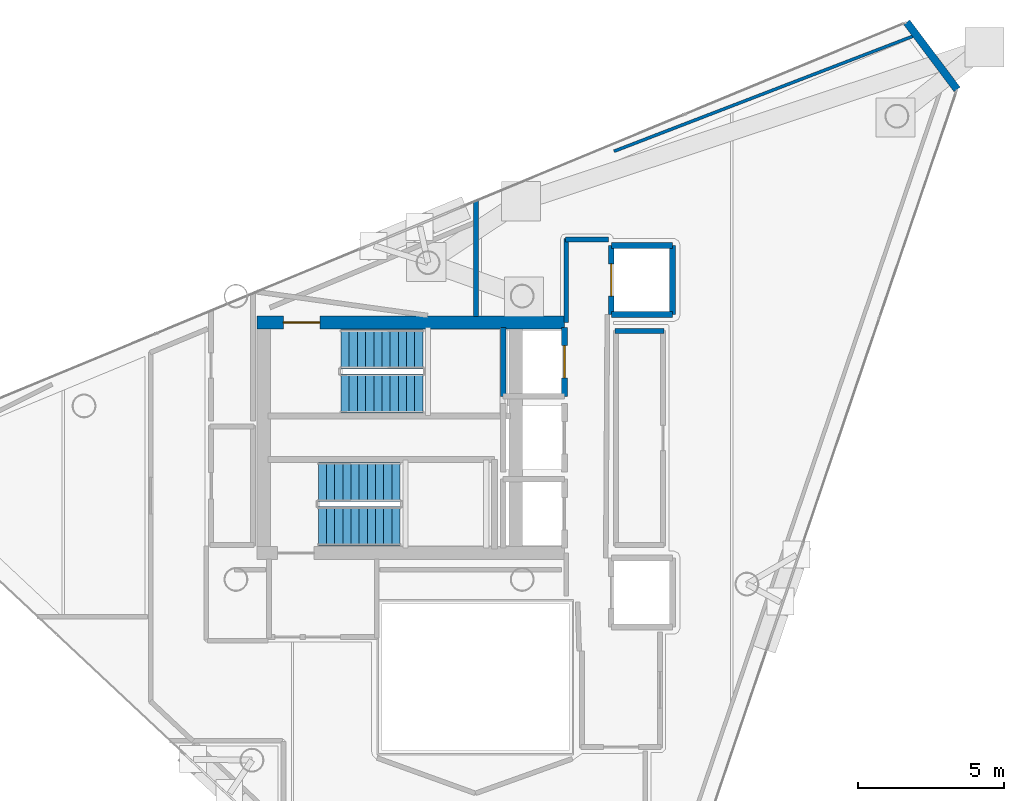
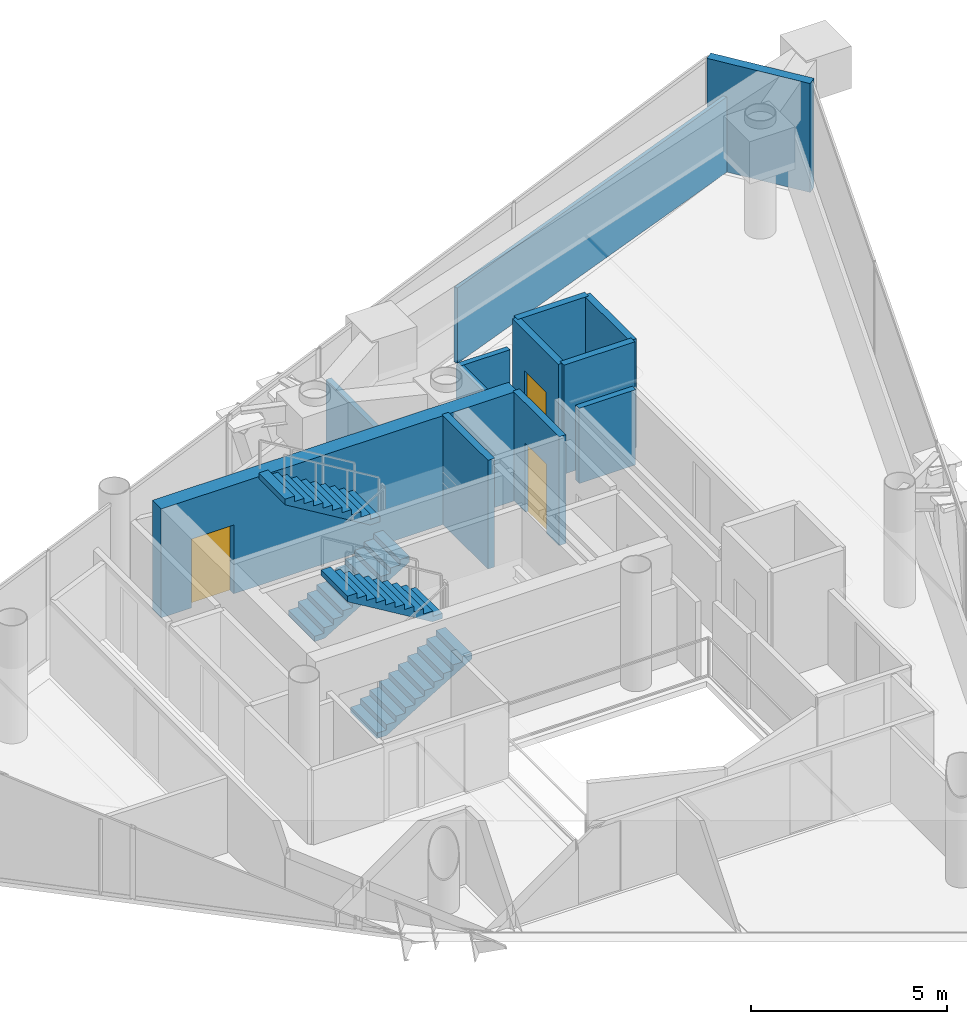
# One storey, part 16 of 18: 13 walls, 4 stair flights, 3 doors, 3 openings, 2 elements without a shape of their own.
"""IFC4 building model written with IfcOpenShell, lengths in metres."""

from ifc_helpers import new_model, si_unit, direction, frame, frame_2d, origin, place, context, subcontext, project, spatial, polyline, rectangle, outline, extrude, material, layer, layer_set, type_object, element, fill, aggregate, save


model = new_model("IFC4")

# Units and contexts
model_context = context("Model", 3, precision=1e-05, world=origin(), true_north=direction((0.0, 1.0)))
body_context = subcontext(model_context, "Body", "Model", "MODEL_VIEW")
ifc_project = project(units=[si_unit("LENGTHUNIT", "METRE"), si_unit("AREAUNIT", "SQUARE_METRE"), si_unit("VOLUMEUNIT", "CUBIC_METRE"), si_unit("PLANEANGLEUNIT", "RADIAN"), si_unit("MASSUNIT", "GRAM", prefix="KILO")], contexts=[model_context])

# Site, building, storey
site_placement = place(None, origin())
site = spatial("IfcSite", under=ifc_project, at=site_placement, CompositionType="ELEMENT")
building_placement = place(site_placement, origin())
building = spatial("IfcBuilding", under=site, at=building_placement, Name="Qianvela Tower", CompositionType="ELEMENT")
storey_placement = place(building_placement, frame((0.0, 0.0, 348.10009765625)))
storey = spatial("IfcBuildingStorey", under=building, at=storey_placement, Name="L90", CompositionType="ELEMENT", Elevation=348.10009765625)

# Wall
ifc_material_1 = material(Name="Terracotta Cladding on Concrete C40", Category="masonry")
ifc_layer_1 = layer(ifc_material_1, 0.260009765625)
ifc_layer_set_1 = layer_set([ifc_layer_1], Name="Terracotta Cladding on Concrete C40")
wall_type_1 = type_object("IfcWallType", Name="TERRACOTTA-WALL-260", PredefinedType="SOLIDWALL", material=ifc_layer_set_1)
wall_1_placement = place(storey_placement, frame((53.287841796875, 40.623046875, 0.0), z_axis=(0.0, 0.0, 1.0), x_axis=(-0.599850515237, 0.800112091753, 0.0)))
element("IfcWall", 1, at=wall_1_placement, inside=storey, type_object=wall_type_1, Name="L90 Terracotta Chamfer Facet Wall 1", PredefinedType="SOLIDWALL", context=body_context, shape_type="SweptSolid", body=[
    extrude(rectangle(XDim=2.874755859375, YDim=0.260009765625, at=frame_2d((1.4375, 0.0))), origin(), (0.0, 0.0, 1.0), 3.39990234375),
])

# Wall, opening, door
ifc_material_2 = material(Name="Concrete C50", Category="concrete")
ifc_layer_2 = layer(ifc_material_2, 0.449951171875)
ifc_layer_set_2 = layer_set([ifc_layer_2], Name="Concrete C50")
wall_type_2 = type_object("IfcWallType", Name="WT-CORE-450", PredefinedType="SHEAR", material=ifc_layer_set_2)
wall_2_placement = place(storey_placement, frame((29.330078125, 32.64501953125, 0.0), z_axis=(0.0, 0.0, 1.0), x_axis=(1.0, 0.0, 0.0)))
wall_2 = element("IfcWall", 2, at=wall_2_placement, inside=storey, type_object=wall_type_2, Name="L90 North Core Shear Wall", PredefinedType="SHEAR", context=body_context, shape_type="SweptSolid", body=[
    extrude(rectangle(XDim=10.52001953125, YDim=0.449951171875, at=frame_2d((5.260009765625, 0.0))), origin(), (0.0, 0.0, 1.0), 3.39990234375),
])
opening_1_placement = place(wall_2_placement, frame((0.89501953125, 0.0, 0.0)))
opening_1 = element("IfcOpeningElement", 3, at=opening_1_placement, cuts=wall_2, Name="Opening D-ST1", PredefinedType="OPENING", context=body_context, shape_type="SweptSolid", body=[
    extrude(rectangle(XDim=1.25, YDim=2.14990234375, at=frame_2d((0.625, 1.074951171875))), frame((0.0, 0.23486328125, 0.0), z_axis=(0.0, -1.0, 0.0), x_axis=(1.0, 0.0, 0.0)), (0.0, 0.0, 1.0), 0.469970703125),
])
ifc_material_3 = material(Name="Galvanised Fire Steel Q355B", Category="steel")
door_type_1 = type_object("IfcDoorType", Name="DT-STAIR-FD90", OperationType="NOTDEFINED", PredefinedType="DOOR", material=ifc_material_3)
door_1_placement = place(opening_1_placement, origin())
door_1 = element("IfcDoor", 4, at=door_1_placement, inside=storey, type_object=door_type_1, Name="L90 Stair ST-1 Exit Door", OperationType="SINGLE_SWING_RIGHT", OverallHeight=2.14990234375, OverallWidth=1.25, PredefinedType="DOOR", context=body_context, shape_type="SweptSolid", body=[
    extrude(rectangle(XDim=1.25, YDim=2.14990234375, at=frame_2d((0.625, 1.074951171875))), frame((0.0, 0.02490234375, 0.0), z_axis=(0.0, -1.0, 0.0), x_axis=(1.0, 0.0, 0.0)), (0.0, 0.0, 1.0), 0.050048828125),
])
fill(opening_1, door_1)

# Walls
ifc_material_4 = material(Name="Fire-Rated Gypsum and Concrete Block", Category="concrete")
ifc_layer_3 = layer(ifc_material_4, 0.159912109375)
ifc_layer_set_3 = layer_set([ifc_layer_3], Name="Fire-Rated Gypsum and Concrete Block")
wall_type_3 = type_object("IfcWallType", Name="WT-CORR-160", PredefinedType="PARTITIONING", material=ifc_layer_set_3)
wall_3_placement = place(storey_placement, frame((36.819091796875, 36.82763671875, 0.0), z_axis=(0.0, 0.0, 1.0), x_axis=(0.0, -1.0, 0.0)))
element("IfcWall", 5, at=wall_3_placement, inside=storey, type_object=wall_type_3, Name="L90 Partition 2", PredefinedType="PARTITIONING", context=body_context, shape_type="SweptSolid", body=[
    extrude(rectangle(XDim=3.9697265625, YDim=0.159912109375, at=frame_2d((1.98486328125, 0.0))), origin(), (0.0, 0.0, 1.0), 2.177978515625),
])
wall_4_placement = place(storey_placement, frame((39.910888671875, 32.639892578125, 0.0), z_axis=(0.0, 0.0, 1.0), x_axis=(0.0, 1.0, 0.0)))
element("IfcWall", 6, at=wall_4_placement, inside=storey, type_object=wall_type_3, Name="L90 Partition 11", PredefinedType="PARTITIONING", context=body_context, shape_type="SweptSolid", body=[
    extrude(rectangle(XDim=2.880126953125, YDim=0.159912109375, at=frame_2d((1.43994140625, 0.0))), origin(), (0.0, 0.0, 1.0), 2.349853515625),
])
wall_5_placement = place(storey_placement, frame((39.8798828125, 35.489013671875, 0.0), z_axis=(0.0, 0.0, 1.0), x_axis=(1.0, 0.0, 0.0)))
element("IfcWall", 7, at=wall_5_placement, inside=storey, type_object=wall_type_3, Name="L90 Partition 12", PredefinedType="PARTITIONING", context=body_context, shape_type="SweptSolid", body=[
    extrude(rectangle(XDim=1.480224609375, YDim=0.159912109375, at=frame_2d((0.740234375, 0.0))), origin(), (0.0, 0.0, 1.0), 2.349853515625),
])
ifc_material_5 = material(Name="Lightweight Gypsum Room Partition")
ifc_layer_4 = layer(ifc_material_5, 0.10498046875)
ifc_layer_set_4 = layer_set([ifc_layer_4], Name="Lightweight Gypsum Room Partition")
wall_type_4 = type_object("IfcWallType", Name="WT-PART-105", PredefinedType="PARTITIONING", material=ifc_layer_set_4)
wall_6_placement = place(storey_placement, frame((41.545166015625, 38.508056640625, 0.0), z_axis=(0.0, 0.0, 1.0), x_axis=(0.933257174765, 0.359208916578, 0.0)))
element("IfcWall", 8, at=wall_6_placement, inside=storey, type_object=wall_type_4, Name="L90 Partition 73 seg 2", PredefinedType="PARTITIONING", context=body_context, shape_type="SweptSolid", body=[
    extrude(rectangle(XDim=11.103515625, YDim=0.10498046875, at=frame_2d((5.5517578125, 0.0))), origin(), (0.0, 0.0, 1.0), 2.349853515625),
])
ifc_material_6 = material(Name="Moisture-Resistant Acoustic Plumbing Wall")
ifc_layer_5 = layer(ifc_material_6, 0.175048828125)
ifc_layer_set_5 = layer_set([ifc_layer_5], Name="Moisture-Resistant Acoustic Plumbing Wall")
wall_type_5 = type_object("IfcWallType", Name="WT-PLUMB-175", PredefinedType="PLUMBINGWALL", material=ifc_layer_set_5)
wall_7_placement = place(storey_placement, frame((41.580078125, 32.34912109375, 0.0), z_axis=(0.0, 0.0, 1.0), x_axis=(1.0, 0.0, 0.0)))
element("IfcWall", 9, at=wall_7_placement, inside=storey, type_object=wall_type_5, Name="L90 Partition 20", PredefinedType="PLUMBINGWALL", context=body_context, shape_type="SweptSolid", body=[
    extrude(rectangle(XDim=1.669921875, YDim=0.175048828125, at=frame_2d((0.8349609375, 0.0))), origin(), (0.0, 0.0, 1.0), 2.349853515625),
])

# Wall, opening, door
ifc_material_7 = material(Name="Concrete C50", Category="concrete")
ifc_layer_6 = layer(ifc_material_7, 0.199951171875)
ifc_layer_set_6 = layer_set([ifc_layer_6], Name="Concrete C50")
wall_type_6 = type_object("IfcWallType", Name="WT-SHAFT-200", PredefinedType="SOLIDWALL", material=ifc_layer_set_6)
wall_8_placement = place(storey_placement, frame((39.85009765625, 30.1201171875, 0.0), z_axis=(0.0, 0.0, 1.0), x_axis=(0.0, 1.0, 0.0)))
wall_8 = element("IfcWall", 10, at=wall_8_placement, inside=storey, type_object=wall_type_6, Name="L90 Lift FL-1 E Shaft Wall", PredefinedType="SOLIDWALL", context=body_context, shape_type="SweptSolid", body=[
    extrude(rectangle(XDim=2.35986328125, YDim=0.199951171875, at=frame_2d((1.179931640625, 0.0))), origin(), (0.0, 0.0, 1.0), 3.39990234375),
])
opening_2_placement = place(wall_8_placement, frame((0.6298828125, 0.0, 0.0)))
opening_2 = element("IfcOpeningElement", 11, at=opening_2_placement, cuts=wall_8, Name="Opening LD-01", PredefinedType="OPENING", context=body_context, shape_type="SweptSolid", body=[
    extrude(rectangle(XDim=1.10009765625, YDim=2.14990234375, at=frame_2d((0.550048828125, 1.074951171875))), frame((0.0, 0.10986328125, 0.0), z_axis=(0.0, -1.0, 0.0), x_axis=(1.0, 0.0, 0.0)), (0.0, 0.0, 1.0), 0.219970703125),
])
ifc_material_8 = material(Name="Brushed Stainless Steel Lift Landing Door", Category="steel")
door_type_2 = type_object("IfcDoorType", Name="DT-LIFT-SLIDE-1100", OperationType="SLIDING_TO_LEFT", PredefinedType="DOOR", material=ifc_material_8)
door_2_placement = place(opening_2_placement, origin())
door_2 = element("IfcDoor", 12, at=door_2_placement, inside=storey, type_object=door_type_2, Name="L90 Lift FL-1 Sliding Landing Door", OperationType="SLIDING_TO_LEFT", OverallHeight=2.14990234375, OverallWidth=1.10009765625, PredefinedType="DOOR", context=body_context, shape_type="SweptSolid", body=[
    extrude(rectangle(XDim=1.10009765625, YDim=2.14990234375, at=frame_2d((0.550048828125, 1.074951171875))), frame((0.0, 0.02490234375, 0.0), z_axis=(0.0, -1.0, 0.0), x_axis=(1.0, 0.0, 0.0)), (0.0, 0.0, 1.0), 0.050048828125),
])
fill(opening_2, door_2)

# Walls
wall_9_placement = place(storey_placement, frame((37.75, 30.1201171875, 0.0), z_axis=(0.0, 0.0, 1.0), x_axis=(0.0, 1.0, 0.0)))
element("IfcWall", 13, at=wall_9_placement, inside=storey, type_object=wall_type_6, Name="L90 Lift FL-1 W Shaft Wall", PredefinedType="SOLIDWALL", context=body_context, shape_type="SweptSolid", body=[
    extrude(rectangle(XDim=2.35986328125, YDim=0.199951171875, at=frame_2d((1.179931640625, 0.0))), origin(), (0.0, 0.0, 1.0), 3.39990234375),
])
wall_10_placement = place(storey_placement, frame((43.550048828125, 32.919921875, 0.0), z_axis=(0.0, 0.0, 1.0), x_axis=(0.0, 1.0, 0.0)))
element("IfcWall", 14, at=wall_10_placement, inside=storey, type_object=wall_type_6, Name="L90 Lift PL-H3 E Shaft Wall", PredefinedType="SOLIDWALL", context=body_context, shape_type="SweptSolid", body=[
    extrude(rectangle(XDim=2.360107421875, YDim=0.199951171875, at=frame_2d((1.18017578125, 0.0))), origin(), (0.0, 0.0, 1.0), 3.39990234375),
])

# Wall, opening, door
wall_11_placement = place(storey_placement, frame((41.449951171875, 32.919921875, 0.0), z_axis=(0.0, 0.0, 1.0), x_axis=(0.0, 1.0, 0.0)))
wall_11 = element("IfcWall", 15, at=wall_11_placement, inside=storey, type_object=wall_type_6, Name="L90 Lift PL-H3 W Shaft Wall", PredefinedType="SOLIDWALL", context=body_context, shape_type="SweptSolid", body=[
    extrude(rectangle(XDim=2.360107421875, YDim=0.199951171875, at=frame_2d((1.18017578125, 0.0))), origin(), (0.0, 0.0, 1.0), 3.39990234375),
])
opening_3_placement = place(wall_11_placement, frame((0.6298828125, 0.0, 0.0)))
opening_3 = element("IfcOpeningElement", 16, at=opening_3_placement, cuts=wall_11, Name="Opening LD-01", PredefinedType="OPENING", context=body_context, shape_type="SweptSolid", body=[
    extrude(rectangle(XDim=1.10009765625, YDim=2.14990234375, at=frame_2d((0.550048828125, 1.074951171875))), frame((0.0, 0.10986328125, 0.0), z_axis=(0.0, -1.0, 0.0), x_axis=(1.0, 0.0, 0.0)), (0.0, 0.0, 1.0), 0.219970703125),
])
door_3_placement = place(opening_3_placement, origin())
door_3 = element("IfcDoor", 17, at=door_3_placement, inside=storey, type_object=door_type_2, Name="L90 Lift PL-H3 Sliding Landing Door", OperationType="SLIDING_TO_LEFT", OverallHeight=2.14990234375, OverallWidth=1.10009765625, PredefinedType="DOOR", context=body_context, shape_type="SweptSolid", body=[
    extrude(rectangle(XDim=1.10009765625, YDim=2.14990234375, at=frame_2d((0.550048828125, 1.074951171875))), frame((0.0, 0.02490234375, 0.0), z_axis=(0.0, -1.0, 0.0), x_axis=(1.0, 0.0, 0.0)), (0.0, 0.0, 1.0), 0.050048828125),
])
fill(opening_3, door_3)

# Walls
for number, where, z_axis, x_axis, name in (
    (18, (41.449951171875, 35.280029296875, 0.0), (0.0, 0.0, 1.0), (1.0, 0.0, 0.0), "L90 Lift PL-H3 N Shaft Wall"),
    (19, (41.449951171875, 32.919921875, 0.0), (0.0, 0.0, 1.0), (1.0, 0.0, 0.0), "L90 Lift PL-H3 S Shaft Wall"),
):
    element("IfcWall", number, at=place(storey_placement, frame(where, z_axis=z_axis, x_axis=x_axis)), inside=storey, type_object=wall_type_6, Name=name, PredefinedType="SOLIDWALL", context=body_context, shape_type="SweptSolid", body=[
        extrude(rectangle(XDim=2.10009765625, YDim=0.199951171875, at=frame_2d((1.050048828125, 0.0))), origin(), (0.0, 0.0, 1.0), 3.39990234375),
    ])

# Stair, stair flights
ifc_material_9 = material(Name="Concrete C40", Category="concrete")
stair_type = type_object("IfcStairType", Name="ST-DOGLEG-1350-R168-N22", PredefinedType="HALF_TURN_STAIR", material=ifc_material_9)
stair_1_placement = place(storey_placement, origin())
stair_1 = element("IfcStair", 20, at=stair_1_placement, inside=storey, type_object=stair_type, Name="L90 Smoke-Proof Core Stair ST-1", PredefinedType="HALF_TURN_STAIR")
ifc_material_10 = material(Name="Concrete C40", Category="concrete")
stair_flight_type = type_object("IfcStairFlightType", Name="STF-STRAIGHT-R168-P11", PredefinedType="STRAIGHT", material=ifc_material_10)
stair_flight_1_placement = place(storey_placement, frame((32.199951171875, 30.215087890625, 0.0), z_axis=(0.0, 0.0, 1.0), x_axis=(1.0, 0.0, 0.0)))
stair_flight_1 = element("IfcStairFlight", 21, at=stair_flight_1_placement, type_object=stair_flight_type, Name="ST-1 flight 1", NumberOfRisers=11, NumberOfTreads=10, PredefinedType="STRAIGHT", RiserHeight=0.168181818, TreadLength=0.28, context=body_context, shape_type="SweptSolid", body=[
    extrude(outline(polyline([(0.0, 0.0), (0.0, 0.168212890625), (0.280029296875, 0.168212890625), (0.280029296875, 0.33642578125), (0.56005859375, 0.33642578125), (0.56005859375, 0.504638671875), (0.840087890625, 0.504638671875), (0.840087890625, 0.672607421875), (1.1201171875, 0.672607421875), (1.1201171875, 0.8408203125), (1.39990234375, 0.8408203125), (1.39990234375, 1.009033203125), (1.679931640625, 1.009033203125), (1.679931640625, 1.17724609375), (1.9599609375, 1.17724609375), (1.9599609375, 1.345458984375), (2.239990234375, 1.345458984375), (2.239990234375, 1.513671875), (2.52001953125, 1.513671875), (2.52001953125, 1.681884765625), (2.800048828125, 1.681884765625), (2.800048828125, 1.85009765625), (2.800048828125, 1.5068359375), (0.291015625, 0.0), (0.0, 0.0)])), frame((0.0, 0.675048828125, 0.0), z_axis=(0.0, -1.0, 0.0), x_axis=(1.0, 0.0, 0.0)), (0.0, 0.0, 1.0), 1.35009765625),
])
stair_flight_2_placement = place(storey_placement, frame((35.0, 31.72509765625, 1.849853515625), z_axis=(0.0, 0.0, 1.0), x_axis=(-1.0, 0.0, 0.0)))
stair_flight_2 = element("IfcStairFlight", 22, at=stair_flight_2_placement, type_object=stair_flight_type, Name="ST-1 flight 2", NumberOfRisers=11, NumberOfTreads=10, PredefinedType="STRAIGHT", RiserHeight=0.168181818, TreadLength=0.28, context=body_context, shape_type="SweptSolid", body=[
    extrude(outline(polyline([(0.0, 0.0), (0.0, 0.168212890625), (0.280029296875, 0.168212890625), (0.280029296875, 0.33642578125), (0.56005859375, 0.33642578125), (0.56005859375, 0.504638671875), (0.840087890625, 0.504638671875), (0.840087890625, 0.672607421875), (1.1201171875, 0.672607421875), (1.1201171875, 0.8408203125), (1.39990234375, 0.8408203125), (1.39990234375, 1.009033203125), (1.679931640625, 1.009033203125), (1.679931640625, 1.17724609375), (1.9599609375, 1.17724609375), (1.9599609375, 1.345458984375), (2.239990234375, 1.345458984375), (2.239990234375, 1.513671875), (2.52001953125, 1.513671875), (2.52001953125, 1.681884765625), (2.800048828125, 1.681884765625), (2.800048828125, 1.85009765625), (2.800048828125, 1.5068359375), (0.291015625, 0.0), (0.0, 0.0)])), frame((0.0, 0.675048828125, 0.0), z_axis=(0.0, -1.0, 0.0), x_axis=(1.0, 0.0, 0.0)), (0.0, 0.0, 1.0), 1.35009765625),
])
aggregate(stair_1, [stair_flight_1, stair_flight_2])

stair_2_placement = place(storey_placement, origin())
stair_2 = element("IfcStair", 23, at=stair_2_placement, inside=storey, type_object=stair_type, Name="L90 Smoke-Proof Core Stair ST-2", PredefinedType="HALF_TURN_STAIR")
stair_flight_3_placement = place(storey_placement, frame((31.419921875, 25.675048828125, 0.0), z_axis=(0.0, 0.0, 1.0), x_axis=(1.0, 0.0, 0.0)))
stair_flight_3 = element("IfcStairFlight", 24, at=stair_flight_3_placement, type_object=stair_flight_type, Name="ST-2 flight 1", NumberOfRisers=11, NumberOfTreads=10, PredefinedType="STRAIGHT", RiserHeight=0.168181818, TreadLength=0.28, context=body_context, shape_type="SweptSolid", body=[
    extrude(outline(polyline([(0.0, 0.0), (0.0, 0.168212890625), (0.280029296875, 0.168212890625), (0.280029296875, 0.33642578125), (0.56005859375, 0.33642578125), (0.56005859375, 0.504638671875), (0.840087890625, 0.504638671875), (0.840087890625, 0.672607421875), (1.1201171875, 0.672607421875), (1.1201171875, 0.8408203125), (1.39990234375, 0.8408203125), (1.39990234375, 1.009033203125), (1.679931640625, 1.009033203125), (1.679931640625, 1.17724609375), (1.9599609375, 1.17724609375), (1.9599609375, 1.345458984375), (2.239990234375, 1.345458984375), (2.239990234375, 1.513671875), (2.52001953125, 1.513671875), (2.52001953125, 1.681884765625), (2.800048828125, 1.681884765625), (2.800048828125, 1.85009765625), (2.800048828125, 1.5068359375), (0.291015625, 0.0), (0.0, 0.0)])), frame((0.0, 0.675048828125, 0.0), z_axis=(0.0, -1.0, 0.0), x_axis=(1.0, 0.0, 0.0)), (0.0, 0.0, 1.0), 1.35009765625),
])
stair_flight_4_placement = place(storey_placement, frame((34.219970703125, 27.18505859375, 1.849853515625), z_axis=(0.0, 0.0, 1.0), x_axis=(-1.0, 0.0, 0.0)))
stair_flight_4 = element("IfcStairFlight", 25, at=stair_flight_4_placement, type_object=stair_flight_type, Name="ST-2 flight 2", NumberOfRisers=11, NumberOfTreads=10, PredefinedType="STRAIGHT", RiserHeight=0.168181818, TreadLength=0.28, context=body_context, shape_type="SweptSolid", body=[
    extrude(outline(polyline([(0.0, 0.0), (0.0, 0.168212890625), (0.280029296875, 0.168212890625), (0.280029296875, 0.33642578125), (0.56005859375, 0.33642578125), (0.56005859375, 0.504638671875), (0.840087890625, 0.504638671875), (0.840087890625, 0.672607421875), (1.1201171875, 0.672607421875), (1.1201171875, 0.8408203125), (1.39990234375, 0.8408203125), (1.39990234375, 1.009033203125), (1.679931640625, 1.009033203125), (1.679931640625, 1.17724609375), (1.9599609375, 1.17724609375), (1.9599609375, 1.345458984375), (2.239990234375, 1.345458984375), (2.239990234375, 1.513671875), (2.52001953125, 1.513671875), (2.52001953125, 1.681884765625), (2.800048828125, 1.681884765625), (2.800048828125, 1.85009765625), (2.800048828125, 1.5068359375), (0.291015625, 0.0), (0.0, 0.0)])), frame((0.0, 0.675048828125, 0.0), z_axis=(0.0, -1.0, 0.0), x_axis=(1.0, 0.0, 0.0)), (0.0, 0.0, 1.0), 1.35009765625),
])
aggregate(stair_2, [stair_flight_3, stair_flight_4])

save(model, "model.ifc")
